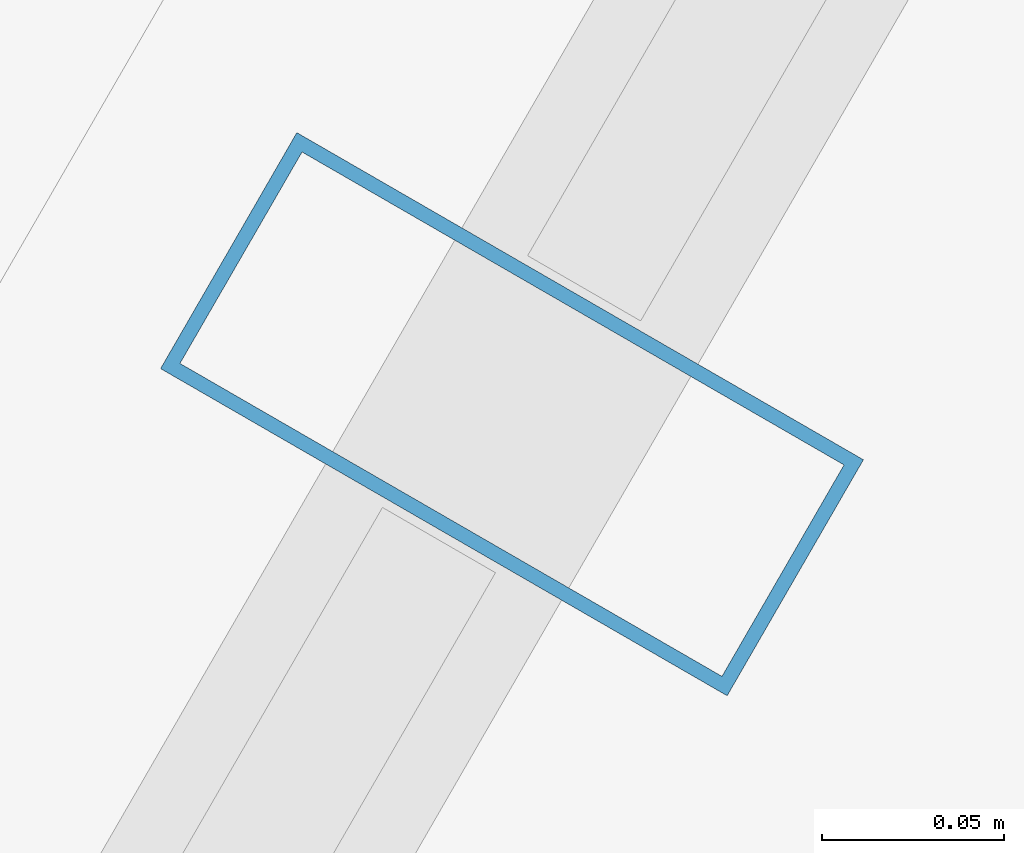
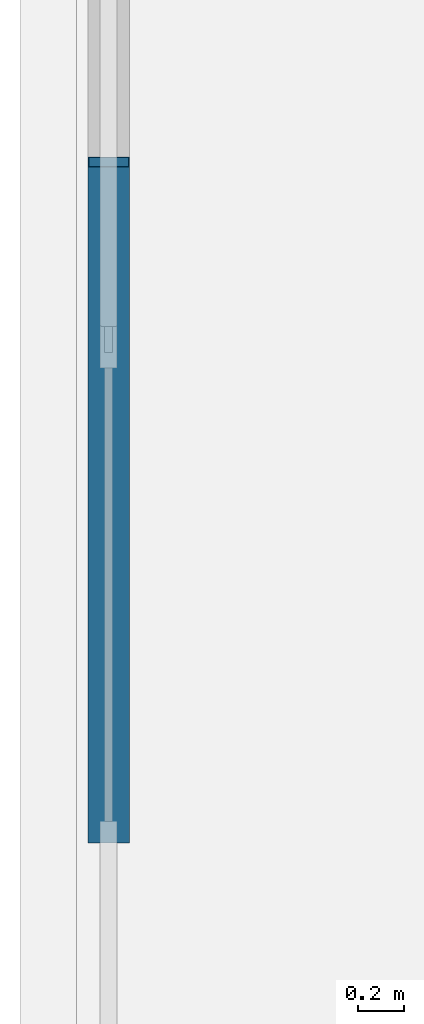
# One storey, part 13 of 31: 1 member, 1 element without a shape of its own.
"""IFC4 building model written with IfcOpenShell, lengths in metres."""

from ifc_helpers import new_model, si_unit, direction, frame, origin, origin_2d, place, context, subcontext, project, spatial, hollow_rectangle, extrude, material, layer, layer_set, material_profile, profile_set, type_object, element, aggregate, save


model = new_model("IFC4")

# Units and contexts
model_context = context("Model", 3, precision=1e-05, world=origin(), true_north=direction((0.0, 1.0)))
body_context = subcontext(model_context, "Body", "Model", "MODEL_VIEW")
ifc_project = project(units=[si_unit("LENGTHUNIT", "METRE"), si_unit("AREAUNIT", "SQUARE_METRE"), si_unit("VOLUMEUNIT", "CUBIC_METRE"), si_unit("PLANEANGLEUNIT", "RADIAN"), si_unit("MASSUNIT", "GRAM", prefix="KILO")], contexts=[model_context])

# Site, building, storey
site_placement = place(None, origin())
site = spatial("IfcSite", under=ifc_project, at=site_placement, CompositionType="ELEMENT")
building_placement = place(site_placement, origin())
building = spatial("IfcBuilding", under=site, at=building_placement, Name="Ndaravel Arena Tower", CompositionType="ELEMENT")
storey_placement = place(building_placement, frame((0.0, 0.0, 138.39990234375)))
storey = spatial("IfcBuildingStorey", under=building, at=storey_placement, Name="L32", CompositionType="ELEMENT", Elevation=138.39990234375)

# Curtain wall, member
ifc_material_1 = material(Name="Aluminium", Category="aluminium")
ifc_layer = layer(ifc_material_1, 0.179931640625)
ifc_layer_set = layer_set([ifc_layer], Name="Aluminium")
curtain_wall_type = type_object("IfcCurtainWallType", Name="CW-SYS-03", PredefinedType="NOTDEFINED", material=ifc_layer_set)
curtain_wall_placement = place(storey_placement, origin())
curtain_wall = element("IfcCurtainWall", 1, at=curtain_wall_placement, inside=storey, type_object=curtain_wall_type, Name="L32 Faceted Crystal Curtain Wall CW-L32-E05", PredefinedType="NOTDEFINED")
ifc_material_2 = material(Name="Aluminium", Category="aluminium")
ifc_material_profile = material_profile(ifc_material_2, hollow_rectangle(XDim=0.074951171875, YDim=0.179931640625, WallThickness=0.00390625, at=origin_2d()), Name="CW MULLION 75x180x4")
ifc_profile_set = profile_set([ifc_material_profile], Name="Aluminium")
member_type = type_object("IfcMemberType", Name="MEM-CW-MUL180", PredefinedType="MULLION", material=ifc_profile_set)
member_placement = place(storey_placement, frame((29.460693359375, 34.5693359375, 0.0), z_axis=(0.0, 0.0, 1.0), x_axis=(-0.5, -0.866025403784, 0.0)))
member = element("IfcMember", 2, at=member_placement, type_object=member_type, Name="CW-L32-E05 Mullion 03", PredefinedType="MULLION", context=body_context, shape_type="SweptSolid", body=[
    extrude(hollow_rectangle(XDim=0.074951171875, YDim=0.179931640625, WallThickness=0.00390625, at=origin_2d()), origin(), (0.0, 0.0, 1.0), 3.580078125),
])
aggregate(curtain_wall, [member])

save(model, "model.ifc")
